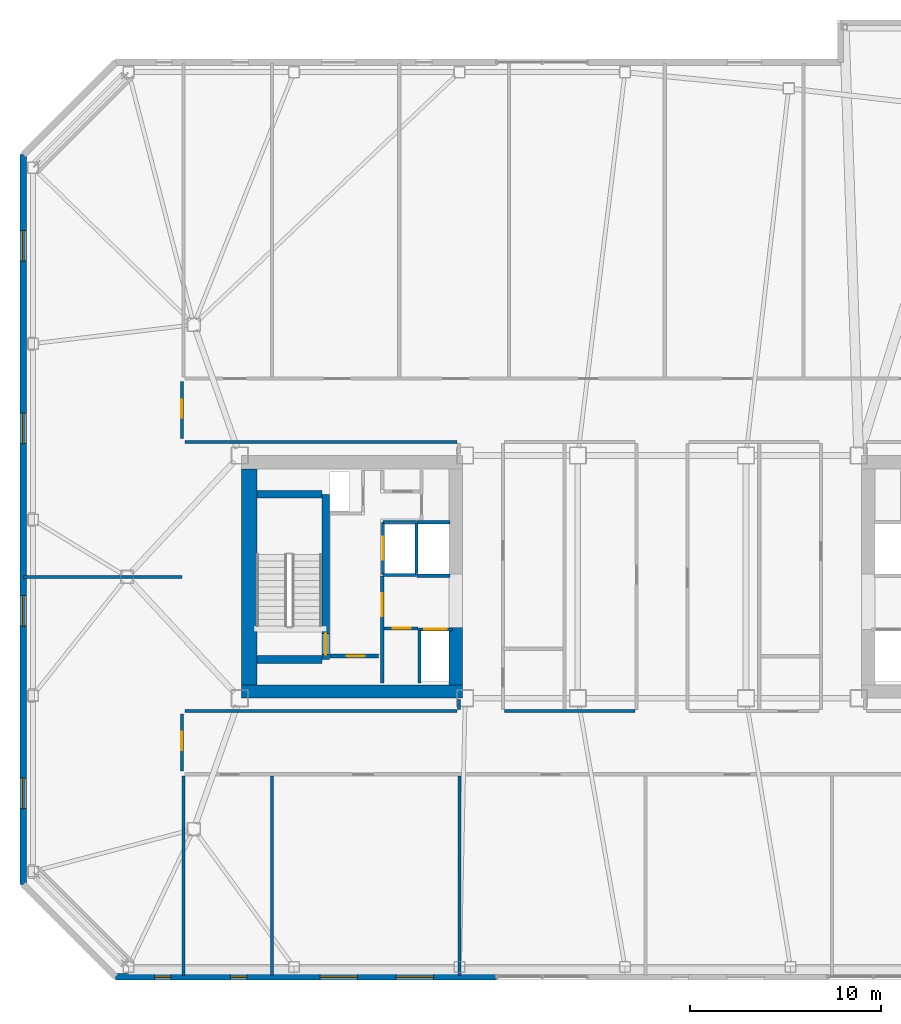
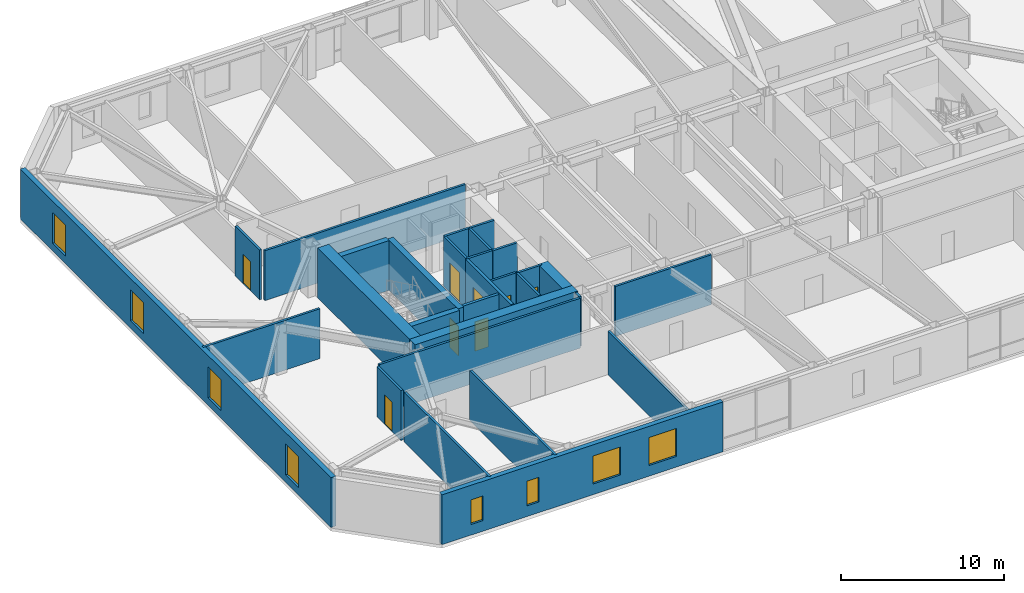
# One storey, part 10 of 18: 29 walls, 8 doors, 8 windows, 16 openings.
"""IFC4 building model written with IfcOpenShell, lengths in metres."""

from ifc_helpers import new_model, si_unit, direction, frame, frame_2d, origin, place, context, subcontext, project, spatial, rectangle, extrude, material, layer, layer_set, type_object, element, fill, save


model = new_model("IFC4")

# Units and contexts
model_context = context("Model", 3, precision=1e-05, world=origin(), true_north=direction((0.0, 1.0)))
body_context = subcontext(model_context, "Body", "Model", "MODEL_VIEW")
ifc_project = project(units=[si_unit("LENGTHUNIT", "METRE"), si_unit("AREAUNIT", "SQUARE_METRE"), si_unit("VOLUMEUNIT", "CUBIC_METRE"), si_unit("PLANEANGLEUNIT", "RADIAN"), si_unit("MASSUNIT", "GRAM", prefix="KILO")], contexts=[model_context])

# Site, building, storey
site_placement = place(None, origin())
site = spatial("IfcSite", under=ifc_project, at=site_placement, CompositionType="ELEMENT")
building_placement = place(site_placement, origin())
building = spatial("IfcBuilding", under=site, at=building_placement, Name="Tavrogorsk Clinical Tower", CompositionType="ELEMENT")
storey_placement = place(building_placement, frame((0.0, 0.0, 180.199951171875)))
storey = spatial("IfcBuildingStorey", under=building, at=storey_placement, Name="L41", CompositionType="ELEMENT", Elevation=180.199951171875)

# Wall, opening, door
ifc_material_1 = material(Name="Concrete B60", Category="concrete")
ifc_layer_1 = layer(ifc_material_1, 0.199951171875)
ifc_layer_set_1 = layer_set([ifc_layer_1], Name="Concrete B60")
wall_type_1 = type_object("IfcWallType", Name="CoreFireWall_200", PredefinedType="SOLIDWALL", material=ifc_layer_set_1)
wall_1_placement = place(storey_placement, frame((-17.3798828125, -4.139892578125, 0.0), z_axis=(0.0, 0.0, 1.0), x_axis=(1.0, 0.0, 0.0)))
wall_1 = element("IfcWall", 1, at=wall_1_placement, inside=storey, type_object=wall_type_1, Name="L41 Core West South Core Room Fire Wall", PredefinedType="SOLIDWALL", context=body_context, shape_type="SweptSolid", body=[
    extrude(rectangle(XDim=2.554931640625, YDim=0.199951171875, at=frame_2d((1.27734375, 0.0))), origin(), (0.0, 0.0, 1.0), 3.739990234375),
])
opening_1_placement = place(wall_1_placement, frame((0.8798828125, 0.0, 0.0)))
opening_1 = element("IfcOpeningElement", 2, at=opening_1_placement, cuts=wall_1, Name="Opening ID-02", PredefinedType="OPENING", context=body_context, shape_type="SweptSolid", body=[
    extrude(rectangle(XDim=0.949951171875, YDim=2.199951171875, at=frame_2d((0.47509765625, 1.10009765625))), frame((0.0, 0.10986328125, 0.0), z_axis=(0.0, -1.0, 0.0), x_axis=(1.0, 0.0, 0.0)), (0.0, 0.0, 1.0), 0.219970703125),
])
ifc_material_2 = material(Name="Laminated timber leaf on aluminium frame", Category="wood")
door_type_1 = type_object("IfcDoorType", Name="InteriorDoor_ID02_950", OperationType="NOTDEFINED", PredefinedType="DOOR", material=ifc_material_2)
door_1_placement = place(opening_1_placement, origin())
door_1 = element("IfcDoor", 3, at=door_1_placement, inside=storey, type_object=door_type_1, Name="L41 Core West South Core Room Door", OperationType="SINGLE_SWING_RIGHT", OverallHeight=2.199951171875, OverallWidth=0.949951171875, PredefinedType="DOOR", context=body_context, shape_type="SweptSolid", body=[
    extrude(rectangle(XDim=0.949951171875, YDim=2.199951171875, at=frame_2d((0.47509765625, 1.10009765625))), frame((0.0, 0.02490234375, 0.0), z_axis=(0.0, -1.0, 0.0), x_axis=(1.0, 0.0, 0.0)), (0.0, 0.0, 1.0), 0.050048828125),
])
fill(opening_1, door_1)

wall_2_placement = place(storey_placement, frame((-14.639892578125, -5.56005859375, 0.0), z_axis=(0.0, 0.0, 1.0), x_axis=(0.0, 1.0, 0.0)))
wall_2 = element("IfcWall", 4, at=wall_2_placement, inside=storey, type_object=wall_type_1, Name="L41 Core West Firefighting Lobby Fire Wall", PredefinedType="SOLIDWALL", context=body_context, shape_type="SweptSolid", body=[
    extrude(rectangle(XDim=5.60009765625, YDim=0.199951171875, at=frame_2d((2.800048828125, 0.0))), origin(), (0.0, 0.0, 1.0), 3.739990234375),
])
opening_2_placement = place(wall_2_placement, frame((3.510009765625, 0.0, 0.0)))
opening_2 = element("IfcOpeningElement", 5, at=opening_2_placement, cuts=wall_2, Name="Opening FD-01", PredefinedType="OPENING", context=body_context, shape_type="SweptSolid", body=[
    extrude(rectangle(XDim=1.199951171875, YDim=2.199951171875, at=frame_2d((0.60009765625, 1.10009765625))), frame((0.0, 0.10986328125, 0.0), z_axis=(0.0, -1.0, 0.0), x_axis=(1.0, 0.0, 0.0)), (0.0, 0.0, 1.0), 0.219970703125),
])
ifc_material_3 = material(Name="Galvanised steel fire-rated door assembly", Category="steel")
door_type_2 = type_object("IfcDoorType", Name="FireDoor_FD01_1200", OperationType="NOTDEFINED", PredefinedType="DOOR", material=ifc_material_3)
door_2_placement = place(opening_2_placement, origin())
door_2 = element("IfcDoor", 6, at=door_2_placement, inside=storey, type_object=door_type_2, Name="L41 Core West Firefighting Lobby Entry Door", OperationType="SINGLE_SWING_RIGHT", OverallHeight=2.199951171875, OverallWidth=1.199951171875, PredefinedType="DOOR", context=body_context, shape_type="SweptSolid", body=[
    extrude(rectangle(XDim=1.199951171875, YDim=2.199951171875, at=frame_2d((0.60009765625, 1.10009765625))), frame((0.0, 0.02490234375, 0.0), z_axis=(0.0, -1.0, 0.0), x_axis=(1.0, 0.0, 0.0)), (0.0, 0.0, 1.0), 0.050048828125),
])
fill(opening_2, door_2)

ifc_material_4 = material(Name="Lightweight concrete blockwork B15", Category="masonry")
ifc_layer_2 = layer(ifc_material_4, 0.159912109375)
ifc_layer_set_2 = layer_set([ifc_layer_2], Name="Lightweight concrete blockwork B15")
wall_type_2 = type_object("IfcWallType", Name="PartitionWall_160", PredefinedType="PARTITIONING", material=ifc_layer_set_2)
wall_3_placement = place(storey_placement, frame((-14.534912109375, -2.699951171875, 0.0), z_axis=(0.0, 0.0, 1.0), x_axis=(1.0, 0.0, 0.0)))
wall_3 = element("IfcWall", 7, at=wall_3_placement, inside=storey, type_object=wall_type_2, Name="L41 Core West Freed Low-Bank North Partition", PredefinedType="PARTITIONING", context=body_context, shape_type="SweptSolid", body=[
    extrude(rectangle(XDim=1.760009765625, YDim=0.159912109375, at=frame_2d((0.8798828125, 0.0))), origin(), (0.0, 0.0, 1.0), 3.739990234375),
])
opening_3_placement = place(wall_3_placement, frame((0.449951171875, 0.0, 0.0)))
opening_3 = element("IfcOpeningElement", 8, at=opening_3_placement, cuts=wall_3, Name="Opening ID-02", PredefinedType="OPENING", context=body_context, shape_type="SweptSolid", body=[
    extrude(rectangle(XDim=0.949951171875, YDim=2.199951171875, at=frame_2d((0.47509765625, 1.10009765625))), frame((0.0, 0.08984375, 0.0), z_axis=(0.0, -1.0, 0.0), x_axis=(1.0, 0.0, 0.0)), (0.0, 0.0, 1.0), 0.179931640625),
])
door_3_placement = place(opening_3_placement, origin())
door_3 = element("IfcDoor", 9, at=door_3_placement, inside=storey, type_object=door_type_1, Name="L41 Core West Biomedical Alcove Door", OperationType="SINGLE_SWING_LEFT", OverallHeight=2.199951171875, OverallWidth=0.949951171875, PredefinedType="DOOR", context=body_context, shape_type="SweptSolid", body=[
    extrude(rectangle(XDim=0.949951171875, YDim=2.199951171875, at=frame_2d((0.47509765625, 1.10009765625))), frame((0.0, 0.02490234375, 0.0), z_axis=(0.0, -1.0, 0.0), x_axis=(1.0, 0.0, 0.0)), (0.0, 0.0, 1.0), 0.050048828125),
])
fill(opening_3, door_3)

wall_4_placement = place(storey_placement, frame((-25.1298828125, -10.1650390625, 0.0), z_axis=(0.0, 0.0, 1.0), x_axis=(0.0, 1.0, 0.0)))
wall_4 = element("IfcWall", 10, at=wall_4_placement, inside=storey, type_object=wall_type_2, Name="L41 Corridor Partition 01", PredefinedType="PARTITIONING", context=body_context, shape_type="SweptSolid", body=[
    extrude(rectangle(XDim=2.97998046875, YDim=0.159912109375, at=frame_2d((1.489990234375, 0.0))), origin(), (0.0, 0.0, 1.0), 3.739990234375),
])
opening_4_placement = place(wall_4_placement, frame((1.10009765625, 0.0, 0.0)))
opening_4 = element("IfcOpeningElement", 11, at=opening_4_placement, cuts=wall_4, Name="Opening ID-02", PredefinedType="OPENING", context=body_context, shape_type="SweptSolid", body=[
    extrude(rectangle(XDim=0.949951171875, YDim=2.199951171875, at=frame_2d((0.47509765625, 1.10009765625))), frame((0.0, 0.08984375, 0.0), z_axis=(0.0, -1.0, 0.0), x_axis=(1.0, 0.0, 0.0)), (0.0, 0.0, 1.0), 0.179931640625),
])
door_4_placement = place(opening_4_placement, origin())
door_4 = element("IfcDoor", 12, at=door_4_placement, inside=storey, type_object=door_type_1, Name="L41 W Solarium Day Room & Lounge 1 Door", OperationType="SINGLE_SWING_LEFT", OverallHeight=2.199951171875, OverallWidth=0.949951171875, PredefinedType="DOOR", context=body_context, shape_type="SweptSolid", body=[
    extrude(rectangle(XDim=0.949951171875, YDim=2.199951171875, at=frame_2d((0.47509765625, 1.10009765625))), frame((0.0, 0.02490234375, 0.0), z_axis=(0.0, -1.0, 0.0), x_axis=(1.0, 0.0, 0.0)), (0.0, 0.0, 1.0), 0.050048828125),
])
fill(opening_4, door_4)

# Walls
wall_5_placement = place(storey_placement, frame((-24.965087890625, -7.02001953125, 0.0), z_axis=(0.0, 0.0, 1.0), x_axis=(1.0, 0.0, 0.0)))
element("IfcWall", 13, at=wall_5_placement, inside=storey, type_object=wall_type_2, Name="L41 Corridor Partition 02", PredefinedType="PARTITIONING", context=body_context, shape_type="SweptSolid", body=[
    extrude(rectangle(XDim=14.25, YDim=0.159912109375, at=frame_2d((7.125, 0.0))), origin(), (0.0, 0.0, 1.0), 3.739990234375),
])
wall_6_placement = place(storey_placement, frame((-10.6298828125, -6.93505859375, 0.0), z_axis=(0.0, 0.0, 1.0), x_axis=(0.0, 1.0, 0.0)))
element("IfcWall", 14, at=wall_6_placement, inside=storey, type_object=wall_type_2, Name="L41 Corridor Partition 03", PredefinedType="PARTITIONING", context=body_context, shape_type="SweptSolid", body=[
    extrude(rectangle(XDim=0.51513671875, YDim=0.159912109375, at=frame_2d((0.257568359375, 0.0))), origin(), (0.0, 0.0, 1.0), 3.739990234375),
])
wall_7_placement = place(storey_placement, frame((-10.715087890625, 7.070068359375, 0.0), z_axis=(0.0, 0.0, 1.0), x_axis=(-1.0, 0.0, 0.0)))
element("IfcWall", 15, at=wall_7_placement, inside=storey, type_object=wall_type_2, Name="L41 Corridor Partition 05", PredefinedType="PARTITIONING", context=body_context, shape_type="SweptSolid", body=[
    extrude(rectangle(XDim=14.25, YDim=0.159912109375, at=frame_2d((7.125, 0.0))), origin(), (0.0, 0.0, 1.0), 3.739990234375),
])

# Wall, opening, door
wall_8_placement = place(storey_placement, frame((-25.1298828125, 7.235107421875, 0.0), z_axis=(0.0, 0.0, 1.0), x_axis=(0.0, 1.0, 0.0)))
wall_8 = element("IfcWall", 16, at=wall_8_placement, inside=storey, type_object=wall_type_2, Name="L41 Corridor Partition 06", PredefinedType="PARTITIONING", context=body_context, shape_type="SweptSolid", body=[
    extrude(rectangle(XDim=2.97998046875, YDim=0.159912109375, at=frame_2d((1.489990234375, 0.0))), origin(), (0.0, 0.0, 1.0), 3.739990234375),
])
opening_5_placement = place(wall_8_placement, frame((1.10009765625, 0.0, 0.0)))
opening_5 = element("IfcOpeningElement", 17, at=opening_5_placement, cuts=wall_8, Name="Opening ID-02", PredefinedType="OPENING", context=body_context, shape_type="SweptSolid", body=[
    extrude(rectangle(XDim=0.949951171875, YDim=2.199951171875, at=frame_2d((0.47509765625, 1.10009765625))), frame((0.0, 0.08984375, 0.0), z_axis=(0.0, -1.0, 0.0), x_axis=(1.0, 0.0, 0.0)), (0.0, 0.0, 1.0), 0.179931640625),
])
door_5_placement = place(opening_5_placement, origin())
door_5 = element("IfcDoor", 18, at=door_5_placement, inside=storey, type_object=door_type_1, Name="L41 W Rehabilitation Therapy Suite 2 Door", OperationType="SINGLE_SWING_RIGHT", OverallHeight=2.199951171875, OverallWidth=0.949951171875, PredefinedType="DOOR", context=body_context, shape_type="SweptSolid", body=[
    extrude(rectangle(XDim=0.949951171875, YDim=2.199951171875, at=frame_2d((0.47509765625, 1.10009765625))), frame((0.0, 0.02490234375, 0.0), z_axis=(0.0, -1.0, 0.0), x_axis=(1.0, 0.0, 0.0)), (0.0, 0.0, 1.0), 0.050048828125),
])
fill(opening_5, door_5)

# Walls
wall_9_placement = place(storey_placement, frame((-8.235107421875, -7.02001953125, 0.0), z_axis=(0.0, 0.0, 1.0), x_axis=(1.0, 0.0, 0.0)))
element("IfcWall", 19, at=wall_9_placement, inside=storey, type_object=wall_type_2, Name="L41 Corridor Partition 22", PredefinedType="PARTITIONING", context=body_context, shape_type="SweptSolid", body=[
    extrude(rectangle(XDim=6.820068359375, YDim=0.159912109375, at=frame_2d((3.41015625, 0.0))), origin(), (0.0, 0.0, 1.0), 3.739990234375),
])
for number, where, z_axis, x_axis, name in (
    (20, (-25.050048828125, -20.860107421875, 0.0), (0.0, 0.0, 1.0), (0.0, 1.0, 0.0), "L41 SW Wing Closure Partition"),
    (21, (-20.39990234375, -20.860107421875, 0.0), (0.0, 0.0, 1.0), (0.0, 1.0, 0.0), "L41 South Room Partition 1"),
):
    element("IfcWall", number, at=place(storey_placement, frame(where, z_axis=z_axis, x_axis=x_axis)), inside=storey, type_object=wall_type_2, Name=name, PredefinedType="PARTITIONING", context=body_context, shape_type="SweptSolid", body=[
        extrude(rectangle(XDim=10.445068359375, YDim=0.159912109375, at=frame_2d((5.22265625, 0.0))), origin(), (0.0, 0.0, 1.0), 3.739990234375),
    ])
wall_10_placement = place(storey_placement, frame((-10.60009765625, -20.860107421875, 0.0), z_axis=(0.0, 0.0, 1.0), x_axis=(0.0, 1.0, 0.0)))
element("IfcWall", 22, at=wall_10_placement, inside=storey, type_object=wall_type_2, Name="L41 South Room Partition 2", PredefinedType="PARTITIONING", context=body_context, shape_type="SweptSolid", body=[
    extrude(rectangle(XDim=10.445068359375, YDim=0.159912109375, at=frame_2d((5.22265625, 0.0))), origin(), (0.0, 0.0, 1.0), 3.28515625),
])
wall_11_placement = place(storey_placement, frame((-33.409912109375, 0.0, 0.0), z_axis=(0.0, 0.0, 1.0), x_axis=(1.0, 0.0, 0.0)))
element("IfcWall", 23, at=wall_11_placement, inside=storey, type_object=wall_type_2, Name="L41 W Wing Divider 1", PredefinedType="PARTITIONING", context=body_context, shape_type="SweptSolid", body=[
    extrude(rectangle(XDim=8.280029296875, YDim=0.159912109375, at=frame_2d((4.14013671875, 0.0))), origin(), (0.0, 0.0, 1.0), 3.739990234375),
])

# Wall, openings, windows
ifc_material_5 = material(Name="Precast concrete B45 with limestone cladding", Category="masonry")
ifc_layer_3 = layer(ifc_material_5, 0.340087890625)
ifc_layer_set_3 = layer_set([ifc_layer_3], Name="Precast concrete B45 with limestone cladding")
wall_type_3 = type_object("IfcWallType", Name="PrecastLimestoneWall_340", PredefinedType="STANDARD", material=ifc_layer_set_3)
wall_12_placement = place(storey_placement, frame((-28.60009765625, -20.929931640625, 0.0), z_axis=(0.0, 0.0, 1.0), x_axis=(1.0, 0.0, 0.0)))
wall_12 = element("IfcWall", 24, at=wall_12_placement, inside=storey, type_object=wall_type_3, Name="L41 S Limestone Facade Wall 1", PredefinedType="STANDARD", context=body_context, shape_type="SweptSolid", body=[
    extrude(rectangle(XDim=19.937255859375, YDim=0.340087890625, at=frame_2d((9.96875, 0.0))), origin(), (0.0, 0.0, 1.0), 3.739990234375),
])
opening_6_placement = place(wall_12_placement, frame((2.0439453125, 0.0, 0.800048828125)))
opening_6 = element("IfcOpeningElement", 25, at=opening_6_placement, cuts=wall_12, Name="Opening WN-06", PredefinedType="OPENING", context=body_context, shape_type="SweptSolid", body=[
    extrude(rectangle(XDim=0.85009765625, YDim=1.85009765625, at=frame_2d((0.425048828125, 0.925048828125))), frame((0.0, 0.179931640625, 0.0), z_axis=(0.0, -1.0, 0.0), x_axis=(1.0, 0.0, 0.0)), (0.0, 0.0, 1.0), 0.360107421875),
])
opening_7_placement = place(wall_12_placement, frame((6.02880859375, 0.0, 0.800048828125)))
opening_7 = element("IfcOpeningElement", 26, at=opening_7_placement, cuts=wall_12, Name="Opening WN-06", PredefinedType="OPENING", context=body_context, shape_type="SweptSolid", body=[
    extrude(rectangle(XDim=0.85009765625, YDim=1.85009765625, at=frame_2d((0.425048828125, 0.925048828125))), frame((0.0, 0.179931640625, 0.0), z_axis=(0.0, -1.0, 0.0), x_axis=(1.0, 0.0, 0.0)), (0.0, 0.0, 1.0), 0.360107421875),
])
opening_8_placement = place(wall_12_placement, frame((10.706787109375, 0.0, 0.800048828125)))
opening_8 = element("IfcOpeningElement", 27, at=opening_8_placement, cuts=wall_12, Name="Opening WN-13", PredefinedType="OPENING", context=body_context, shape_type="SweptSolid", body=[
    extrude(rectangle(XDim=1.949951171875, YDim=2.10009765625, at=frame_2d((0.97509765625, 1.050048828125))), frame((0.0, 0.179931640625, 0.0), z_axis=(0.0, -1.0, 0.0), x_axis=(1.0, 0.0, 0.0)), (0.0, 0.0, 1.0), 0.360107421875),
])
opening_9_placement = place(wall_12_placement, frame((14.691650390625, 0.0, 0.800048828125)))
opening_9 = element("IfcOpeningElement", 28, at=opening_9_placement, cuts=wall_12, Name="Opening WN-13", PredefinedType="OPENING", context=body_context, shape_type="SweptSolid", body=[
    extrude(rectangle(XDim=1.949951171875, YDim=2.10009765625, at=frame_2d((0.97509765625, 1.050048828125))), frame((0.0, 0.179931640625, 0.0), z_axis=(0.0, -1.0, 0.0), x_axis=(1.0, 0.0, 0.0)), (0.0, 0.0, 1.0), 0.360107421875),
])
ifc_material_6 = material(Name="Thermally broken aluminium frame and triple IGU", Category="aluminium")
window_type_1 = type_object("IfcWindowType", Name="ExamRoomWin_1950x2100", PartitioningType="DOUBLE_PANEL_VERTICAL", PredefinedType="WINDOW", material=ifc_material_6)
window_1_placement = place(opening_8_placement, origin())
window_1 = element("IfcWindow", 29, at=window_1_placement, inside=storey, type_object=window_type_1, Name="L41 S Chicago Window 03", OverallHeight=2.10009765625, OverallWidth=1.949951171875, PartitioningType="SINGLE_PANEL", PredefinedType="WINDOW", context=body_context, shape_type="SweptSolid", body=[
    extrude(rectangle(XDim=1.949951171875, YDim=2.10009765625, at=frame_2d((0.97509765625, 1.050048828125))), frame((0.0, 0.030029296875, 0.0), z_axis=(0.0, -1.0, 0.0), x_axis=(1.0, 0.0, 0.0)), (0.0, 0.0, 1.0), 0.06005859375),
])
fill(opening_8, window_1)
window_2_placement = place(opening_9_placement, origin())
window_2 = element("IfcWindow", 30, at=window_2_placement, inside=storey, type_object=window_type_1, Name="L41 S Chicago Window 04", OverallHeight=2.10009765625, OverallWidth=1.949951171875, PartitioningType="SINGLE_PANEL", PredefinedType="WINDOW", context=body_context, shape_type="SweptSolid", body=[
    extrude(rectangle(XDim=1.949951171875, YDim=2.10009765625, at=frame_2d((0.97509765625, 1.050048828125))), frame((0.0, 0.030029296875, 0.0), z_axis=(0.0, -1.0, 0.0), x_axis=(1.0, 0.0, 0.0)), (0.0, 0.0, 1.0), 0.06005859375),
])
fill(opening_9, window_2)
ifc_material_7 = material(Name="Thermally broken aluminium frame and triple IGU", Category="aluminium")
window_type_2 = type_object("IfcWindowType", Name="MullionSubWin_850x1850", PartitioningType="SINGLE_PANEL", PredefinedType="WINDOW", material=ifc_material_7)
window_3_placement = place(opening_6_placement, origin())
window_3 = element("IfcWindow", 31, at=window_3_placement, inside=storey, type_object=window_type_2, Name="L41 S Mullion Split Window 01A", OverallHeight=1.85009765625, OverallWidth=0.85009765625, PartitioningType="SINGLE_PANEL", PredefinedType="WINDOW", context=body_context, shape_type="SweptSolid", body=[
    extrude(rectangle(XDim=0.85009765625, YDim=1.85009765625, at=frame_2d((0.425048828125, 0.925048828125))), frame((0.0, 0.030029296875, 0.0), z_axis=(0.0, -1.0, 0.0), x_axis=(1.0, 0.0, 0.0)), (0.0, 0.0, 1.0), 0.06005859375),
])
fill(opening_6, window_3)
window_4_placement = place(opening_7_placement, origin())
window_4 = element("IfcWindow", 32, at=window_4_placement, inside=storey, type_object=window_type_2, Name="L41 S Mullion Split Window 02A", OverallHeight=1.85009765625, OverallWidth=0.85009765625, PartitioningType="SINGLE_PANEL", PredefinedType="WINDOW", context=body_context, shape_type="SweptSolid", body=[
    extrude(rectangle(XDim=0.85009765625, YDim=1.85009765625, at=frame_2d((0.425048828125, 0.925048828125))), frame((0.0, 0.030029296875, 0.0), z_axis=(0.0, -1.0, 0.0), x_axis=(1.0, 0.0, 0.0)), (0.0, 0.0, 1.0), 0.06005859375),
])
fill(opening_7, window_4)

wall_13_placement = place(storey_placement, frame((-33.429931640625, 22.10009765625, 0.0), z_axis=(0.0, 0.0, 1.0), x_axis=(0.0, -1.0, 0.0)))
wall_13 = element("IfcWall", 33, at=wall_13_placement, inside=storey, type_object=wall_type_3, Name="L41 W Pleated Limestone Wing Wall", PredefinedType="STANDARD", context=body_context, shape_type="SweptSolid", body=[
    extrude(rectangle(XDim=38.2001953125, YDim=0.340087890625, at=frame_2d((19.10009765625, 0.0))), origin(), (0.0, 0.0, 1.0), 3.739990234375),
])
opening_10_placement = place(wall_13_placement, frame((3.97509765625, 0.0, 0.580078125)))
opening_10 = element("IfcOpeningElement", 34, at=opening_10_placement, cuts=wall_13, Name="Opening WN-07", PredefinedType="OPENING", context=body_context, shape_type="SweptSolid", body=[
    extrude(rectangle(XDim=1.60009765625, YDim=2.300048828125, at=frame_2d((0.800048828125, 1.14990234375))), frame((0.0, 0.179931640625, 0.0), z_axis=(0.0, -1.0, 0.0), x_axis=(1.0, 0.0, 0.0)), (0.0, 0.0, 1.0), 0.360107421875),
])
opening_11_placement = place(wall_13_placement, frame((13.52490234375, 0.0, 0.580078125)))
opening_11 = element("IfcOpeningElement", 35, at=opening_11_placement, cuts=wall_13, Name="Opening WN-07", PredefinedType="OPENING", context=body_context, shape_type="SweptSolid", body=[
    extrude(rectangle(XDim=1.60009765625, YDim=2.300048828125, at=frame_2d((0.800048828125, 1.14990234375))), frame((0.0, 0.179931640625, 0.0), z_axis=(0.0, -1.0, 0.0), x_axis=(1.0, 0.0, 0.0)), (0.0, 0.0, 1.0), 0.360107421875),
])
opening_12_placement = place(wall_13_placement, frame((23.074951171875, 0.0, 0.580078125)))
opening_12 = element("IfcOpeningElement", 36, at=opening_12_placement, cuts=wall_13, Name="Opening WN-07", PredefinedType="OPENING", context=body_context, shape_type="SweptSolid", body=[
    extrude(rectangle(XDim=1.60009765625, YDim=2.300048828125, at=frame_2d((0.800048828125, 1.14990234375))), frame((0.0, 0.179931640625, 0.0), z_axis=(0.0, -1.0, 0.0), x_axis=(1.0, 0.0, 0.0)), (0.0, 0.0, 1.0), 0.360107421875),
])
opening_13_placement = place(wall_13_placement, frame((32.625, 0.0, 0.580078125)))
opening_13 = element("IfcOpeningElement", 37, at=opening_13_placement, cuts=wall_13, Name="Opening WN-07", PredefinedType="OPENING", context=body_context, shape_type="SweptSolid", body=[
    extrude(rectangle(XDim=1.60009765625, YDim=2.300048828125, at=frame_2d((0.800048828125, 1.14990234375))), frame((0.0, 0.179931640625, 0.0), z_axis=(0.0, -1.0, 0.0), x_axis=(1.0, 0.0, 0.0)), (0.0, 0.0, 1.0), 0.360107421875),
])
ifc_material_8 = material(Name="Thermally broken aluminium frame and triple IGU", Category="aluminium")
window_type_3 = type_object("IfcWindowType", Name="PleatSlotWin_1600x2300", PartitioningType="SINGLE_PANEL", PredefinedType="WINDOW", material=ifc_material_8)
window_5_placement = place(opening_10_placement, origin())
window_5 = element("IfcWindow", 38, at=window_5_placement, inside=storey, type_object=window_type_3, Name="L41 W Pleat Slot Window 1", OverallHeight=2.300048828125, OverallWidth=1.60009765625, PartitioningType="SINGLE_PANEL", PredefinedType="WINDOW", context=body_context, shape_type="SweptSolid", body=[
    extrude(rectangle(XDim=1.60009765625, YDim=2.300048828125, at=frame_2d((0.800048828125, 1.14990234375))), frame((0.0, 0.030029296875, 0.0), z_axis=(0.0, -1.0, 0.0), x_axis=(1.0, 0.0, 0.0)), (0.0, 0.0, 1.0), 0.06005859375),
])
fill(opening_10, window_5)
window_6_placement = place(opening_11_placement, origin())
window_6 = element("IfcWindow", 39, at=window_6_placement, inside=storey, type_object=window_type_3, Name="L41 W Pleat Slot Window 2", OverallHeight=2.300048828125, OverallWidth=1.60009765625, PartitioningType="SINGLE_PANEL", PredefinedType="WINDOW", context=body_context, shape_type="SweptSolid", body=[
    extrude(rectangle(XDim=1.60009765625, YDim=2.300048828125, at=frame_2d((0.800048828125, 1.14990234375))), frame((0.0, 0.030029296875, 0.0), z_axis=(0.0, -1.0, 0.0), x_axis=(1.0, 0.0, 0.0)), (0.0, 0.0, 1.0), 0.06005859375),
])
fill(opening_11, window_6)
window_7_placement = place(opening_12_placement, origin())
window_7 = element("IfcWindow", 40, at=window_7_placement, inside=storey, type_object=window_type_3, Name="L41 W Pleat Slot Window 3", OverallHeight=2.300048828125, OverallWidth=1.60009765625, PartitioningType="SINGLE_PANEL", PredefinedType="WINDOW", context=body_context, shape_type="SweptSolid", body=[
    extrude(rectangle(XDim=1.60009765625, YDim=2.300048828125, at=frame_2d((0.800048828125, 1.14990234375))), frame((0.0, 0.030029296875, 0.0), z_axis=(0.0, -1.0, 0.0), x_axis=(1.0, 0.0, 0.0)), (0.0, 0.0, 1.0), 0.06005859375),
])
fill(opening_12, window_7)
window_8_placement = place(opening_13_placement, origin())
window_8 = element("IfcWindow", 41, at=window_8_placement, inside=storey, type_object=window_type_3, Name="L41 W Pleat Slot Window 4", OverallHeight=2.300048828125, OverallWidth=1.60009765625, PartitioningType="SINGLE_PANEL", PredefinedType="WINDOW", context=body_context, shape_type="SweptSolid", body=[
    extrude(rectangle(XDim=1.60009765625, YDim=2.300048828125, at=frame_2d((0.800048828125, 1.14990234375))), frame((0.0, 0.030029296875, 0.0), z_axis=(0.0, -1.0, 0.0), x_axis=(1.0, 0.0, 0.0)), (0.0, 0.0, 1.0), 0.06005859375),
])
fill(opening_13, window_8)

# Wall, opening, door
ifc_material_9 = material(Name="Lightweight concrete blockwork B25", Category="masonry")
ifc_layer_4 = layer(ifc_material_9, 0.159912109375)
ifc_layer_set_4 = layer_set([ifc_layer_4], Name="Lightweight concrete blockwork B25")
wall_type_4 = type_object("IfcWallType", Name="ShaftWall_160", PredefinedType="PARTITIONING", material=ifc_layer_set_4)
wall_14_placement = place(storey_placement, frame((-14.60009765625, 0.1201171875, 0.0), z_axis=(0.0, 0.0, 1.0), x_axis=(0.0, 1.0, 0.0)))
wall_14 = element("IfcWall", 42, at=wall_14_placement, inside=storey, type_object=wall_type_4, Name="L41 FFL-W Firefighting Lift Front Wall", PredefinedType="PARTITIONING", context=body_context, shape_type="SweptSolid", body=[
    extrude(rectangle(XDim=2.739990234375, YDim=0.159912109375, at=frame_2d((1.3701171875, 0.0))), origin(), (0.0, 0.0, 1.0), 3.739990234375),
])
opening_14_placement = place(wall_14_placement, frame((0.77001953125, 0.0, 0.0)))
opening_14 = element("IfcOpeningElement", 43, at=opening_14_placement, cuts=wall_14, Name="Opening LD", PredefinedType="OPENING", context=body_context, shape_type="SweptSolid", body=[
    extrude(rectangle(XDim=1.199951171875, YDim=2.199951171875, at=frame_2d((0.60009765625, 1.10009765625))), frame((0.0, 0.08984375, 0.0), z_axis=(0.0, -1.0, 0.0), x_axis=(1.0, 0.0, 0.0)), (0.0, 0.0, 1.0), 0.179931640625),
])
ifc_material_10 = material(Name="Brushed stainless steel AISI 304 sliding doors", Category="steel")
door_type_3 = type_object("IfcDoorType", Name="LiftLandingDoor_LD_1200", OperationType="SLIDING_TO_LEFT", PredefinedType="DOOR", material=ifc_material_10)
door_6_placement = place(opening_14_placement, origin())
door_6 = element("IfcDoor", 44, at=door_6_placement, inside=storey, type_object=door_type_3, Name="L41 FFL-W Sliding Lift Landing Door", OperationType="SLIDING_TO_LEFT", OverallHeight=2.199951171875, OverallWidth=1.199951171875, PredefinedType="DOOR", context=body_context, shape_type="SweptSolid", body=[
    extrude(rectangle(XDim=1.199951171875, YDim=2.199951171875, at=frame_2d((0.60009765625, 1.10009765625))), frame((0.0, 0.02490234375, 0.0), z_axis=(0.0, -1.0, 0.0), x_axis=(1.0, 0.0, 0.0)), (0.0, 0.0, 1.0), 0.050048828125),
])
fill(opening_14, door_6)

# Walls
for number, where, z_axis, x_axis, name in (
    (45, (-14.60009765625, 0.10009765625, 0.0), (0.0, 0.0, 1.0), (1.0, 0.0, 0.0), "L41 FFL-W Shaft South Wall"),
    (46, (-14.60009765625, 2.8798828125, 0.0), (0.0, 0.0, 1.0), (1.0, 0.0, 0.0), "L41 FFL-W Shaft North Wall"),
):
    element("IfcWall", number, at=place(storey_placement, frame(where, z_axis=z_axis, x_axis=x_axis)), inside=storey, type_object=wall_type_4, Name=name, PredefinedType="PARTITIONING", context=body_context, shape_type="SweptSolid", body=[
        extrude(rectangle(XDim=1.760009765625, YDim=0.159912109375, at=frame_2d((0.8798828125, 0.0))), origin(), (0.0, 0.0, 1.0), 3.739990234375),
    ])
wall_15_placement = place(storey_placement, frame((-12.840087890625, 0.179931640625, 0.0), z_axis=(0.0, 0.0, 1.0), x_axis=(0.0, 1.0, 0.0)))
element("IfcWall", 47, at=wall_15_placement, inside=storey, type_object=wall_type_4, Name="L41 FFL-W Shaft Back Wall", PredefinedType="PARTITIONING", context=body_context, shape_type="SweptSolid", body=[
    extrude(rectangle(XDim=2.6201171875, YDim=0.159912109375, at=frame_2d((1.31005859375, 0.0))), origin(), (0.0, 0.0, 1.0), 3.739990234375),
])

# Wall, opening, door
wall_16_placement = place(storey_placement, frame((-12.72998046875, -2.75, 0.0), z_axis=(0.0, 0.0, 1.0), x_axis=(1.0, 0.0, 0.0)))
wall_16 = element("IfcWall", 48, at=wall_16_placement, inside=storey, type_object=wall_type_4, Name="L41 LP-M1 Lift Shaft Portal Wall", PredefinedType="PARTITIONING", context=body_context, shape_type="SweptSolid", body=[
    extrude(rectangle(XDim=1.760009765625, YDim=0.159912109375, at=frame_2d((0.8798828125, 0.0))), origin(), (0.0, 0.0, 1.0), 3.739990234375),
])
opening_15_placement = place(wall_16_placement, frame((0.280029296875, 0.0, 0.0)))
opening_15 = element("IfcOpeningElement", 49, at=opening_15_placement, cuts=wall_16, Name="Opening LD", PredefinedType="OPENING", context=body_context, shape_type="SweptSolid", body=[
    extrude(rectangle(XDim=1.199951171875, YDim=2.199951171875, at=frame_2d((0.60009765625, 1.10009765625))), frame((0.0, 0.08984375, 0.0), z_axis=(0.0, -1.0, 0.0), x_axis=(1.0, 0.0, 0.0)), (0.0, 0.0, 1.0), 0.179931640625),
])
door_7_placement = place(opening_15_placement, origin())
door_7 = element("IfcDoor", 50, at=door_7_placement, inside=storey, type_object=door_type_3, Name="L41 LP-M1 Sliding Lift Landing Door", OperationType="SLIDING_TO_LEFT", OverallHeight=2.199951171875, OverallWidth=1.199951171875, PredefinedType="DOOR", context=body_context, shape_type="SweptSolid", body=[
    extrude(rectangle(XDim=1.199951171875, YDim=2.199951171875, at=frame_2d((0.60009765625, 1.10009765625))), frame((0.0, 0.02490234375, 0.0), z_axis=(0.0, -1.0, 0.0), x_axis=(1.0, 0.0, 0.0)), (0.0, 0.0, 1.0), 0.050048828125),
])
fill(opening_15, door_7)

# Walls
for number, where, z_axis, x_axis, name in (
    (51, (-12.820068359375, 0.06005859375, 0.0), (0.0, 0.0, 1.0), (1.0, 0.0, 0.0), "L41 LP-H1 High-Zone Lift Portal Wall"),
    (52, (-12.820068359375, 2.860107421875, 0.0), (0.0, 0.0, 1.0), (1.0, 0.0, 0.0), "L41 LP-H1 High-Zone Lift Rear Wall"),
):
    element("IfcWall", number, at=place(storey_placement, frame(where, z_axis=z_axis, x_axis=x_axis)), inside=storey, type_object=wall_type_4, Name=name, PredefinedType="PARTITIONING", context=body_context, shape_type="SweptSolid", body=[
        extrude(rectangle(XDim=1.719970703125, YDim=0.159912109375, at=frame_2d((0.85986328125, 0.0))), origin(), (0.0, 0.0, 1.0), 3.739990234375),
    ])
wall_17_placement = place(storey_placement, frame((-12.68994140625, -5.56005859375, 0.0), z_axis=(0.0, 0.0, 1.0), x_axis=(0.0, 1.0, 0.0)))
element("IfcWall", 53, at=wall_17_placement, inside=storey, type_object=wall_type_4, Name="L41 Core West Freed Low-Bank Shaft Divider", PredefinedType="PARTITIONING", context=body_context, shape_type="SweptSolid", body=[
    extrude(rectangle(XDim=2.775146484375, YDim=0.159912109375, at=frame_2d((1.3876953125, 0.0))), origin(), (0.0, 0.0, 1.0), 3.739990234375),
])

# Wall, opening, door
ifc_material_11 = material(Name="Concrete B80", Category="concrete")
ifc_layer_5 = layer(ifc_material_11, 0.39990234375)
ifc_layer_set_5 = layer_set([ifc_layer_5], Name="Concrete B80")
wall_type_5 = type_object("IfcWallType", Name="ShearWall_400", PredefinedType="SHEAR", material=ifc_layer_set_5)
wall_18_placement = place(storey_placement, frame((-17.60009765625, -4.324951171875, 0.0), z_axis=(0.0, 0.0, 1.0), x_axis=(0.0, 1.0, 0.0)))
wall_18 = element("IfcWall", 54, at=wall_18_placement, inside=storey, type_object=wall_type_5, Name="L41 Core West Stair Shaft Inner Shear Wall", PredefinedType="SHEAR", context=body_context, shape_type="SweptSolid", body=[
    extrude(rectangle(XDim=8.64990234375, YDim=0.39990234375, at=frame_2d((4.324951171875, 0.0))), origin(), (0.0, 0.0, 1.0), 3.739990234375),
])
opening_16_placement = place(wall_18_placement, frame((0.25, 0.0, 0.0)))
opening_16 = element("IfcOpeningElement", 55, at=opening_16_placement, cuts=wall_18, Name="Opening SD-01", PredefinedType="OPENING", context=body_context, shape_type="SweptSolid", body=[
    extrude(rectangle(XDim=1.10009765625, YDim=2.199951171875, at=frame_2d((0.550048828125, 1.10009765625))), frame((0.0, 0.2099609375, 0.0), z_axis=(0.0, -1.0, 0.0), x_axis=(1.0, 0.0, 0.0)), (0.0, 0.0, 1.0), 0.419921875),
])
ifc_material_12 = material(Name="Galvanised steel smoke-tight fire door assembly", Category="steel")
door_type_4 = type_object("IfcDoorType", Name="StairFireDoor_SD01_1100", OperationType="NOTDEFINED", PredefinedType="DOOR", material=ifc_material_12)
door_8_placement = place(opening_16_placement, origin())
door_8 = element("IfcDoor", 56, at=door_8_placement, inside=storey, type_object=door_type_4, Name="L41 ST-W Exit Stair Door", OperationType="SINGLE_SWING_RIGHT", OverallHeight=2.199951171875, OverallWidth=1.10009765625, PredefinedType="DOOR", context=body_context, shape_type="SweptSolid", body=[
    extrude(rectangle(XDim=1.10009765625, YDim=2.199951171875, at=frame_2d((0.550048828125, 1.10009765625))), frame((0.0, 0.02490234375, 0.0), z_axis=(0.0, -1.0, 0.0), x_axis=(1.0, 0.0, 0.0)), (0.0, 0.0, 1.0), 0.050048828125),
])
fill(opening_16, door_8)

# Walls
for number, where, z_axis, x_axis, name in (
    (57, (-21.199951171875, -4.324951171875, 0.0), (0.0, 0.0, 1.0), (1.0, 0.0, 0.0), "L41 Core West Stair Shaft South Shear Wall"),
    (58, (-21.199951171875, 4.324951171875, 0.0), (0.0, 0.0, 1.0), (1.0, 0.0, 0.0), "L41 Core West Stair Shaft North Shear Wall"),
):
    element("IfcWall", number, at=place(storey_placement, frame(where, z_axis=z_axis, x_axis=x_axis)), inside=storey, type_object=wall_type_5, Name=name, PredefinedType="SHEAR", context=body_context, shape_type="SweptSolid", body=[
        extrude(rectangle(XDim=3.39990234375, YDim=0.39990234375, at=frame_2d((1.699951171875, 0.0))), origin(), (0.0, 0.0, 1.0), 3.739990234375),
    ])
ifc_material_13 = material(Name="Concrete B80", Category="concrete")
ifc_layer_6 = layer(ifc_material_13, 0.699951171875)
ifc_layer_set_6 = layer_set([ifc_layer_6], Name="Concrete B80")
wall_type_6 = type_object("IfcWallType", Name="ShearWall_700", PredefinedType="SHEAR", material=ifc_layer_set_6)
wall_19_placement = place(storey_placement, frame((-22.0, -6.0, 0.0), z_axis=(0.0, 0.0, 1.0), x_axis=(1.0, 0.0, 0.0)))
element("IfcWall", 59, at=wall_19_placement, inside=storey, type_object=wall_type_6, Name="L41 Core West South Shear Wall", PredefinedType="SHEAR", context=body_context, shape_type="SweptSolid", body=[
    extrude(rectangle(XDim=11.550048828125, YDim=0.699951171875, at=frame_2d((5.77490234375, 0.0))), origin(), (0.0, 0.0, 1.0), 3.739990234375),
])
wall_20_placement = place(storey_placement, frame((-10.800048828125, -5.64990234375, 0.0), z_axis=(0.0, 0.0, 1.0), x_axis=(0.0, 1.0, 0.0)))
element("IfcWall", 60, at=wall_20_placement, inside=storey, type_object=wall_type_6, Name="L41 Core West Inner South Pier", PredefinedType="SHEAR", context=body_context, shape_type="SweptSolid", body=[
    extrude(rectangle(XDim=3.0, YDim=0.699951171875, at=frame_2d((1.5, 0.0))), origin(), (0.0, 0.0, 1.0), 3.739990234375),
])
ifc_material_14 = material(Name="Concrete B80", Category="concrete")
ifc_layer_7 = layer(ifc_material_14, 0.800048828125)
ifc_layer_set_7 = layer_set([ifc_layer_7], Name="Concrete B80")
wall_type_7 = type_object("IfcWallType", Name="ShearWall_800", PredefinedType="SHEAR", material=ifc_layer_set_7)
wall_21_placement = place(storey_placement, frame((-21.60009765625, -5.64990234375, 0.0), z_axis=(0.0, 0.0, 1.0), x_axis=(0.0, 1.0, 0.0)))
element("IfcWall", 61, at=wall_21_placement, inside=storey, type_object=wall_type_7, Name="L41 Core West End Shear Wall", PredefinedType="SHEAR", context=body_context, shape_type="SweptSolid", body=[
    extrude(rectangle(XDim=11.2998046875, YDim=0.800048828125, at=frame_2d((5.64990234375, 0.0))), origin(), (0.0, 0.0, 1.0), 3.739990234375),
])

save(model, "model.ifc")
